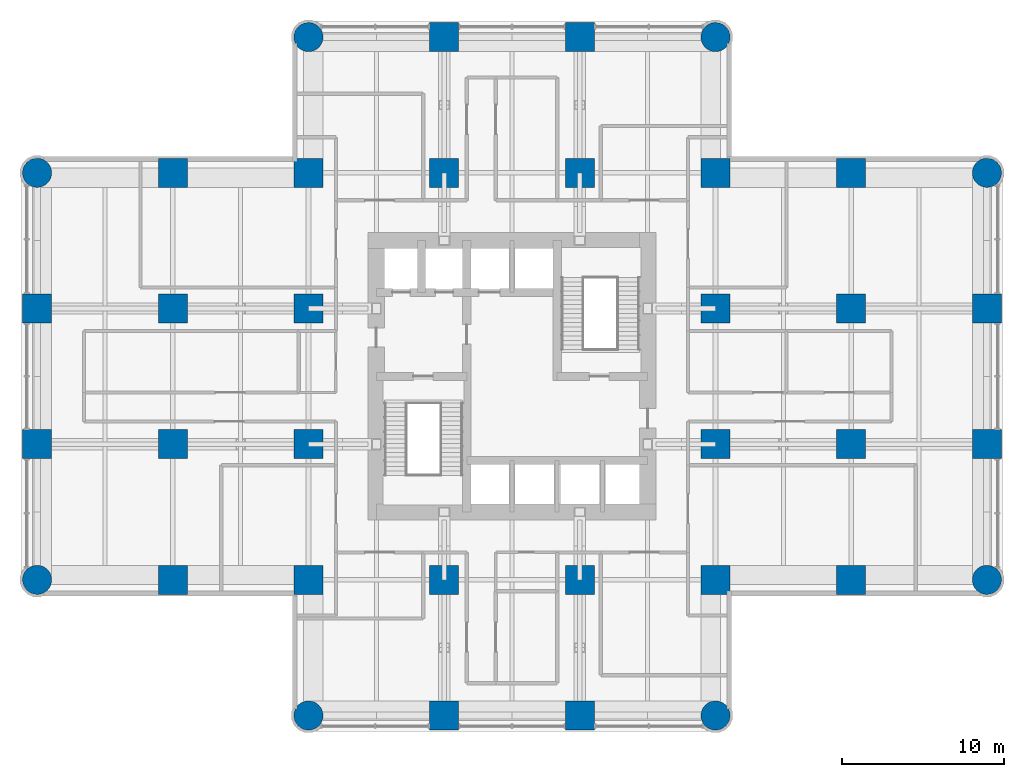
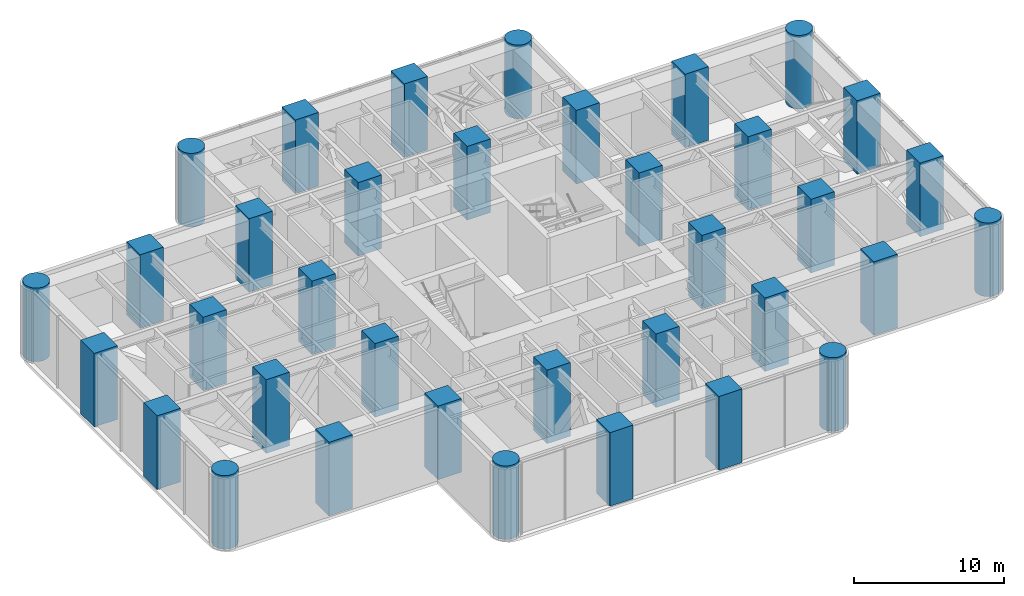
# One storey, part 1 of 13: 36 columns.
"""IFC4 building model written with IfcOpenShell, lengths in metres."""

from ifc_helpers import new_model, si_unit, direction, frame, origin, origin_2d, place, context, subcontext, project, spatial, rectangle, circle, extrude, material, material_profile, profile_set, type_object, element, save


model = new_model("IFC4")

# Units and contexts
model_context = context("Model", 3, precision=1e-05, world=origin(), true_north=direction((0.0, 1.0)))
body_context = subcontext(model_context, "Body", "Model", "MODEL_VIEW")
ifc_project = project(units=[si_unit("LENGTHUNIT", "METRE"), si_unit("AREAUNIT", "SQUARE_METRE"), si_unit("VOLUMEUNIT", "CUBIC_METRE"), si_unit("PLANEANGLEUNIT", "RADIAN"), si_unit("MASSUNIT", "GRAM", prefix="KILO")], contexts=[model_context])

# Site, building, storey
site_placement = place(None, origin())
site = spatial("IfcSite", under=ifc_project, at=site_placement, CompositionType="ELEMENT")
building_placement = place(site_placement, origin())
building = spatial("IfcBuilding", under=site, at=building_placement, Name="Torre Alcanfor", CompositionType="ELEMENT")
storey_placement = place(building_placement, frame((0.0, 0.0, 177.300048828125)))
storey = spatial("IfcBuildingStorey", under=building, at=storey_placement, Name="L46", CompositionType="ELEMENT", Elevation=177.300048828125)

# Columns
ifc_material_1 = material(Name="Concrete f'c 70 MPa", Category="concrete")
ifc_material_profile_1 = material_profile(ifc_material_1, rectangle(XDim=1.800048828125, YDim=1.800048828125, at=origin_2d()), Name="1800x1800")
ifc_profile_set_1 = profile_set([ifc_material_profile_1], Name="Concrete f'c 70 MPa")
column_type_1 = type_object("IfcColumnType", Name="RC column 1800x1800 f'c70", PredefinedType="COLUMN", material=ifc_profile_set_1)
for number, where, z_axis, x_axis, name in (
    (1, (0.0, 25.199951171875, 0.0), (0.0, 0.0, 1.0), (1.0, 0.0, 0.0), "Column 1/F L46"),
    (2, (0.0, 33.60009765625, 0.0), (0.0, 0.0, 1.0), (1.0, 0.0, 0.0), "Column 1/G L46"),
    (3, (8.39990234375, 16.800048828125, 0.0), (0.0, 0.0, 1.0), (1.0, 0.0, 0.0), "Column 2/E L46"),
    (4, (8.39990234375, 25.199951171875, 0.0), (0.0, 0.0, 1.0), (1.0, 0.0, 0.0), "Column 2/F L46"),
    (5, (8.39990234375, 33.60009765625, 0.0), (0.0, 0.0, 1.0), (1.0, 0.0, 0.0), "Column 2/G L46"),
    (6, (8.39990234375, 42.0, 0.0), (0.0, 0.0, 1.0), (1.0, 0.0, 0.0), "Column 2/H L46"),
    (7, (16.800048828125, 16.800048828125, 0.0), (0.0, 0.0, 1.0), (1.0, 0.0, 0.0), "Column 3/E L46"),
    (8, (16.800048828125, 25.199951171875, 0.0), (0.0, 0.0, 1.0), (1.0, 0.0, 0.0), "Column 3/F L46"),
    (9, (16.800048828125, 33.60009765625, 0.0), (0.0, 0.0, 1.0), (1.0, 0.0, 0.0), "Column 3/G L46"),
    (10, (16.800048828125, 42.0, 0.0), (0.0, 0.0, 1.0), (1.0, 0.0, 0.0), "Column 3/H L46"),
    (11, (25.199951171875, 8.39990234375, 0.0), (0.0, 0.0, 1.0), (1.0, 0.0, 0.0), "Column 4/D L46"),
    (12, (25.199951171875, 16.800048828125, 0.0), (0.0, 0.0, 1.0), (1.0, 0.0, 0.0), "Column 4/E L46"),
    (13, (25.199951171875, 42.0, 0.0), (0.0, 0.0, 1.0), (1.0, 0.0, 0.0), "Column 4/H L46"),
    (14, (25.199951171875, 50.39990234375, 0.0), (0.0, 0.0, 1.0), (1.0, 0.0, 0.0), "Column 4/J L46"),
    (15, (33.60009765625, 8.39990234375, 0.0), (0.0, 0.0, 1.0), (1.0, 0.0, 0.0), "Column 5/D L46"),
    (16, (33.60009765625, 16.800048828125, 0.0), (0.0, 0.0, 1.0), (1.0, 0.0, 0.0), "Column 5/E L46"),
    (17, (33.60009765625, 42.0, 0.0), (0.0, 0.0, 1.0), (1.0, 0.0, 0.0), "Column 5/H L46"),
    (18, (33.60009765625, 50.39990234375, 0.0), (0.0, 0.0, 1.0), (1.0, 0.0, 0.0), "Column 5/J L46"),
    (19, (42.0, 16.800048828125, 0.0), (0.0, 0.0, 1.0), (1.0, 0.0, 0.0), "Column 6/E L46"),
    (20, (42.0, 25.199951171875, 0.0), (0.0, 0.0, 1.0), (1.0, 0.0, 0.0), "Column 6/F L46"),
    (21, (42.0, 33.60009765625, 0.0), (0.0, 0.0, 1.0), (1.0, 0.0, 0.0), "Column 6/G L46"),
    (22, (42.0, 42.0, 0.0), (0.0, 0.0, 1.0), (1.0, 0.0, 0.0), "Column 6/H L46"),
    (23, (50.39990234375, 16.800048828125, 0.0), (0.0, 0.0, 1.0), (1.0, 0.0, 0.0), "Column 7/E L46"),
    (24, (50.39990234375, 25.199951171875, 0.0), (0.0, 0.0, 1.0), (1.0, 0.0, 0.0), "Column 7/F L46"),
    (25, (50.39990234375, 33.60009765625, 0.0), (0.0, 0.0, 1.0), (1.0, 0.0, 0.0), "Column 7/G L46"),
    (26, (50.39990234375, 42.0, 0.0), (0.0, 0.0, 1.0), (1.0, 0.0, 0.0), "Column 7/H L46"),
    (27, (58.800048828125, 25.199951171875, 0.0), (0.0, 0.0, 1.0), (1.0, 0.0, 0.0), "Column 8/F L46"),
    (28, (58.800048828125, 33.60009765625, 0.0), (0.0, 0.0, 1.0), (1.0, 0.0, 0.0), "Column 8/G L46"),
):
    element("IfcColumn", number, at=place(storey_placement, frame(where, z_axis=z_axis, x_axis=x_axis)), inside=storey, type_object=column_type_1, Name=name, PredefinedType="COLUMN", context=body_context, shape_type="SweptSolid", body=[
        extrude(rectangle(XDim=1.800048828125, YDim=1.800048828125, at=origin_2d()), origin(), (0.0, 0.0, 1.0), 6.0),
    ])
ifc_material_2 = material(Name="Concrete f'c 70 MPa", Category="concrete")
ifc_material_profile_2 = material_profile(ifc_material_2, circle(Radius=0.89990234375, at=origin_2d()), Name="D1800")
ifc_profile_set_2 = profile_set([ifc_material_profile_2], Name="Concrete f'c 70 MPa")
column_type_2 = type_object("IfcColumnType", Name="RC column D1800 f'c70", PredefinedType="COLUMN", material=ifc_profile_set_2)
for number, where, z_axis, x_axis, name in (
    (29, (0.0, 16.800048828125, 0.0), (0.0, 0.0, 1.0), (1.0, 0.0, 0.0), "Column 1/E L46"),
    (30, (0.0, 42.0, 0.0), (0.0, 0.0, 1.0), (1.0, 0.0, 0.0), "Column 1/H L46"),
    (31, (16.800048828125, 8.39990234375, 0.0), (0.0, 0.0, 1.0), (1.0, 0.0, 0.0), "Column 3/D L46"),
    (32, (16.800048828125, 50.39990234375, 0.0), (0.0, 0.0, 1.0), (1.0, 0.0, 0.0), "Column 3/J L46"),
    (33, (42.0, 8.39990234375, 0.0), (0.0, 0.0, 1.0), (1.0, 0.0, 0.0), "Column 6/D L46"),
    (34, (42.0, 50.39990234375, 0.0), (0.0, 0.0, 1.0), (1.0, 0.0, 0.0), "Column 6/J L46"),
    (35, (58.800048828125, 16.800048828125, 0.0), (0.0, 0.0, 1.0), (1.0, 0.0, 0.0), "Column 8/E L46"),
    (36, (58.800048828125, 42.0, 0.0), (0.0, 0.0, 1.0), (1.0, 0.0, 0.0), "Column 8/H L46"),
):
    element("IfcColumn", number, at=place(storey_placement, frame(where, z_axis=z_axis, x_axis=x_axis)), inside=storey, type_object=column_type_2, Name=name, PredefinedType="COLUMN", context=body_context, shape_type="SweptSolid", body=[
        extrude(circle(Radius=0.89990234375, at=origin_2d()), origin(), (0.0, 0.0, 1.0), 6.0),
    ])

save(model, "model.ifc")
